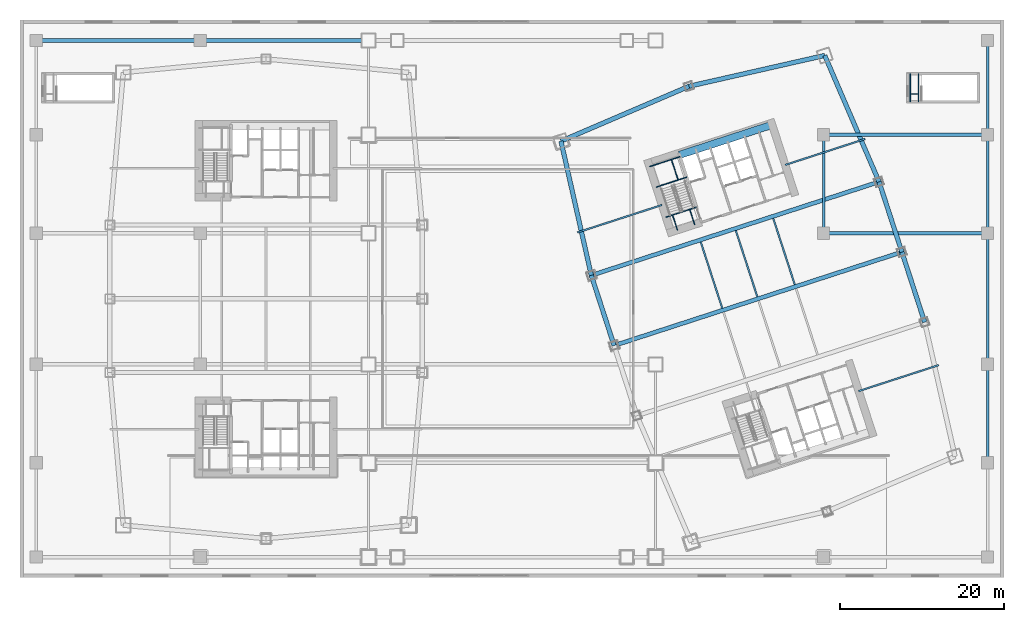
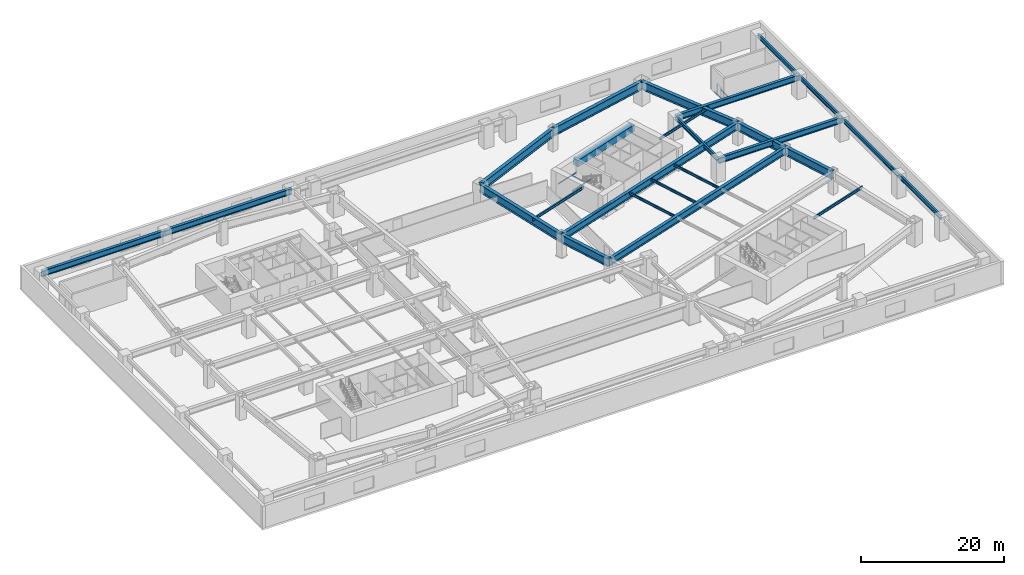
# One storey, part 8 of 25: 34 beams.
"""IFC4 building model written with IfcOpenShell, lengths in metres."""

from ifc_helpers import new_model, si_unit, direction, frame, origin, origin_2d, place, context, subcontext, project, spatial, rectangle, i_section, extrude, material, material_profile, profile_set, type_object, element, save


model = new_model("IFC4")

# Units and contexts
model_context = context("Model", 3, precision=1e-05, world=origin(), true_north=direction((0.0, 1.0)))
body_context = subcontext(model_context, "Body", "Model", "MODEL_VIEW")
ifc_project = project(units=[si_unit("LENGTHUNIT", "METRE"), si_unit("AREAUNIT", "SQUARE_METRE"), si_unit("VOLUMEUNIT", "CUBIC_METRE"), si_unit("PLANEANGLEUNIT", "RADIAN"), si_unit("MASSUNIT", "GRAM", prefix="KILO")], contexts=[model_context])

# Site, building, storey
site_placement = place(None, origin())
site = spatial("IfcSite", under=ifc_project, at=site_placement, CompositionType="ELEMENT")
building_placement = place(site_placement, origin())
building = spatial("IfcBuilding", under=site, at=building_placement, Name="Qiaolan Cultural Towers", CompositionType="ELEMENT")
storey_placement = place(building_placement, frame((0.0, 0.0, 22.0)))
storey = spatial("IfcBuildingStorey", under=building, at=storey_placement, Name="L04", CompositionType="ELEMENT", Elevation=22.0)

# Beams
ifc_material_1 = material(Name="Steel Q390GJB", Category="steel")
ifc_material_profile_1 = material_profile(ifc_material_1, i_section(OverallWidth=0.449951171875, OverallDepth=1.0, WebThickness=0.02392578125, FlangeThickness=0.0400390625, at=origin_2d()), Name="BH1000x450x24x40")
ifc_profile_set_1 = profile_set([ifc_material_profile_1], Name="Steel Q390GJB")
beam_type_1 = type_object("IfcBeamType", Name="BM-BH1000x450x24x40", PredefinedType="BEAM", material=ifc_profile_set_1)
for number, where, z_axis, x_axis, name in (
    (1, (98.0, 42.0, 3.25), (1.0, 0.0, 0.0), (0.0, 1.0, 0.0), "L04 Podium Primary Girder Y=42.0"),
    (2, (98.0, 54.0, 3.25), (1.0, 0.0, 0.0), (0.0, 1.0, 0.0), "L04 Podium Primary Girder Y=54.0"),
    (3, (2.0, 65.5, 3.25), (1.0, 0.0, 0.0), (0.0, 1.0, 0.0), "L04 Podium Primary Girder Y=65.5"),
):
    element("IfcBeam", number, at=place(storey_placement, frame(where, z_axis=z_axis, x_axis=x_axis)), inside=storey, type_object=beam_type_1, Name=name, PredefinedType="BEAM", context=body_context, shape_type="SweptSolid", body=[
        extrude(i_section(OverallWidth=0.449951171875, OverallDepth=1.0, WebThickness=0.02392578125, FlangeThickness=0.0400390625, at=origin_2d()), origin(), (0.0, 0.0, 1.0), 20.0),
    ])
beam_1_placement = place(storey_placement, frame((22.0, 65.5, 3.25), z_axis=(1.0, 0.0, 0.0), x_axis=(0.0, 1.0, 0.0)))
element("IfcBeam", 4, at=beam_1_placement, inside=storey, type_object=beam_type_1, Name="L04 Podium Primary Girder Y=65.5", PredefinedType="BEAM", context=body_context, shape_type="SweptSolid", body=[
    extrude(i_section(OverallWidth=0.449951171875, OverallDepth=1.0, WebThickness=0.02392578125, FlangeThickness=0.0400390625, at=origin_2d()), origin(), (0.0, 0.0, 1.0), 20.5),
])
ifc_material_2 = material(Name="Steel Q390GJB", Category="steel")
ifc_material_profile_2 = material_profile(ifc_material_2, i_section(OverallWidth=0.5, OverallDepth=1.199951171875, WebThickness=0.028076171875, FlangeThickness=0.044921875, at=origin_2d()), Name="BH1200x500x28x45")
ifc_profile_set_2 = profile_set([ifc_material_profile_2], Name="Steel Q390GJB")
beam_type_2 = type_object("IfcBeamType", Name="BM-BH1200x500x28x45", PredefinedType="BEAM", material=ifc_profile_set_2)
beam_2_placement = place(storey_placement, frame((72.453125, 28.298583984375, 3.139892578125), z_axis=(0.951055071173, 0.309021441968, 0.0), x_axis=(-0.309021441968, 0.951055071173, 0.0)))
element("IfcBeam", 5, at=beam_2_placement, inside=storey, type_object=beam_type_2, Name="L04 T2 Primary Transverse Girder V2", PredefinedType="BEAM", context=body_context, shape_type="SweptSolid", body=[
    extrude(i_section(OverallWidth=0.5, OverallDepth=1.199951171875, WebThickness=0.028076171875, FlangeThickness=0.044921875, at=origin_2d()), origin(), (0.0, 0.0, 1.0), 36.89990234375),
])
beam_3_placement = place(storey_placement, frame((69.671875, 36.858154296875, 3.139892578125), z_axis=(0.951055702987, 0.309019497469, 0.0), x_axis=(-0.309019497469, 0.951055702987, 0.0)))
element("IfcBeam", 6, at=beam_3_placement, inside=storey, type_object=beam_type_2, Name="L04 T2 Primary Transverse Girder V3", PredefinedType="BEAM", context=body_context, shape_type="SweptSolid", body=[
    extrude(i_section(OverallWidth=0.5, OverallDepth=1.199951171875, WebThickness=0.028076171875, FlangeThickness=0.044921875, at=origin_2d()), origin(), (0.0, 0.0, 1.0), 36.900146484375),
])
ifc_material_3 = material(Name="Steel Q420GJB", Category="steel")
ifc_material_profile_3 = material_profile(ifc_material_3, i_section(OverallWidth=0.550048828125, OverallDepth=1.39990234375, WebThickness=0.031982421875, FlangeThickness=0.050048828125, at=origin_2d()), Name="BH1400x550x32x50")
ifc_profile_set_3 = profile_set([ifc_material_profile_3], Name="Steel Q420GJB")
beam_type_3 = type_object("IfcBeamType", Name="BM-BH1400x550x32x50", PredefinedType="BEAM", material=ifc_profile_set_3)
for number, where, z_axis, x_axis, name in (
    (7, (110.328125, 31.141845703125, 3.0400390625), (-0.309024734286, 0.951054001411, 0.0), (-0.951054001411, -0.309024734286, 0.0), "L04 T2 Perimeter Spandrel Beam 4"),
    (8, (107.546875, 39.701416015625, 3.0400390625), (-0.309000197986, 0.951061973609, 0.0), (-0.951061973609, -0.309000197986, 0.0), "L04 T2 Perimeter Spandrel Beam 5"),
):
    element("IfcBeam", number, at=place(storey_placement, frame(where, z_axis=z_axis, x_axis=x_axis)), inside=storey, type_object=beam_type_3, Name=name, PredefinedType="BEAM", context=body_context, shape_type="SweptSolid", body=[
        extrude(i_section(OverallWidth=0.550048828125, OverallDepth=1.39990234375, WebThickness=0.031982421875, FlangeThickness=0.050048828125, at=origin_2d()), origin(), (0.0, 0.0, 1.0), 9.0),
    ])
beam_4_placement = place(storey_placement, frame((104.765869140625, 48.260986328125, 3.0400390625), z_axis=(-0.394998896054, 0.918681594524, 0.0), x_axis=(-0.918681594524, -0.394998896054, 0.0)))
element("IfcBeam", 9, at=beam_4_placement, inside=storey, type_object=beam_type_3, Name="L04 T2 Perimeter Spandrel Beam 6", PredefinedType="BEAM", context=body_context, shape_type="SweptSolid", body=[
    extrude(i_section(OverallWidth=0.550048828125, OverallDepth=1.39990234375, WebThickness=0.031982421875, FlangeThickness=0.050048828125, at=origin_2d()), origin(), (0.0, 0.0, 1.0), 16.78076171875),
])
for number, where, z_axis, x_axis, name in (
    (10, (98.137451171875, 63.67724609375, 3.0400390625), (-0.975161095889, -0.221496810506, 0.0), (0.221496810506, -0.975161095889, 0.0), "L04 T2 Perimeter Spandrel Beam 7"),
    (11, (81.579345703125, 59.916259765625, 3.0400390625), (-0.919108584923, -0.394004326272, 0.0), (0.394004326272, -0.919108584923, 0.0), "L04 T2 Perimeter Spandrel Beam 8"),
):
    element("IfcBeam", number, at=place(storey_placement, frame(where, z_axis=z_axis, x_axis=x_axis)), inside=storey, type_object=beam_type_3, Name=name, PredefinedType="BEAM", context=body_context, shape_type="SweptSolid", body=[
        extrude(i_section(OverallWidth=0.550048828125, OverallDepth=1.39990234375, WebThickness=0.031982421875, FlangeThickness=0.050048828125, at=origin_2d()), origin(), (0.0, 0.0, 1.0), 16.97998046875),
    ])
beam_5_placement = place(storey_placement, frame((65.972900390625, 53.22607421875, 3.0400390625), z_axis=(0.220430557386, -0.975402670373, 0.0), x_axis=(0.975402670373, 0.220430557386, 0.0)))
element("IfcBeam", 12, at=beam_5_placement, inside=storey, type_object=beam_type_3, Name="L04 T2 Perimeter Spandrel Beam 9", PredefinedType="BEAM", context=body_context, shape_type="SweptSolid", body=[
    extrude(i_section(OverallWidth=0.550048828125, OverallDepth=1.39990234375, WebThickness=0.031982421875, FlangeThickness=0.050048828125, at=origin_2d()), origin(), (0.0, 0.0, 1.0), 16.78076171875),
])
beam_6_placement = place(storey_placement, frame((69.671875, 36.858154296875, 3.0400390625), z_axis=(0.309024734286, -0.951054001411, 0.0), x_axis=(0.951054001411, 0.309024734286, 0.0)))
element("IfcBeam", 13, at=beam_6_placement, inside=storey, type_object=beam_type_3, Name="L04 T2 Perimeter Spandrel Beam 10", PredefinedType="BEAM", context=body_context, shape_type="SweptSolid", body=[
    extrude(i_section(OverallWidth=0.550048828125, OverallDepth=1.39990234375, WebThickness=0.031982421875, FlangeThickness=0.050048828125, at=origin_2d()), origin(), (0.0, 0.0, 1.0), 9.0),
])
ifc_material_4 = material(Name="Steel Q355B", Category="steel")
ifc_material_profile_4 = material_profile(ifc_material_4, i_section(OverallWidth=0.300048828125, OverallDepth=0.699951171875, WebThickness=0.012939453125, FlangeThickness=0.02392578125, at=origin_2d()), Name="HN700x300x13x24")
ifc_profile_set_4 = profile_set([ifc_material_profile_4], Name="Steel Q355B")
beam_type_4 = type_object("IfcBeamType", Name="BM-HN700x300x13x24", PredefinedType="BEAM", material=ifc_profile_set_4)
for number, where, z_axis, x_axis, name in (
    (14, (98.0, 42.0, 3.39990234375), (0.0, 1.0, 0.0), (-1.0, 0.0, 0.0), "L04 Podium Transverse Beam X=98.0"),
    (15, (118.0, 14.0, 3.39990234375), (0.0, 1.0, 0.0), (-1.0, 0.0, 0.0), "L04 Podium Transverse Beam X=118.0"),
):
    element("IfcBeam", number, at=place(storey_placement, frame(where, z_axis=z_axis, x_axis=x_axis)), inside=storey, type_object=beam_type_4, Name=name, PredefinedType="BEAM", context=body_context, shape_type="SweptSolid", body=[
        extrude(i_section(OverallWidth=0.300048828125, OverallDepth=0.699951171875, WebThickness=0.012939453125, FlangeThickness=0.02392578125, at=origin_2d()), origin(), (0.0, 0.0, 1.0), 12.0),
    ])
beam_7_placement = place(storey_placement, frame((118.0, 26.0, 3.39990234375), z_axis=(0.0, 1.0, 0.0), x_axis=(-1.0, 0.0, 0.0)))
element("IfcBeam", 16, at=beam_7_placement, inside=storey, type_object=beam_type_4, Name="L04 Podium Transverse Beam X=118.0", PredefinedType="BEAM", context=body_context, shape_type="SweptSolid", body=[
    extrude(i_section(OverallWidth=0.300048828125, OverallDepth=0.699951171875, WebThickness=0.012939453125, FlangeThickness=0.02392578125, at=origin_2d()), origin(), (0.0, 0.0, 1.0), 16.0),
])
beam_8_placement = place(storey_placement, frame((118.0, 42.0, 3.39990234375), z_axis=(0.0, 1.0, 0.0), x_axis=(-1.0, 0.0, 0.0)))
element("IfcBeam", 17, at=beam_8_placement, inside=storey, type_object=beam_type_4, Name="L04 Podium Transverse Beam X=118.0", PredefinedType="BEAM", context=body_context, shape_type="SweptSolid", body=[
    extrude(i_section(OverallWidth=0.300048828125, OverallDepth=0.699951171875, WebThickness=0.012939453125, FlangeThickness=0.02392578125, at=origin_2d()), origin(), (0.0, 0.0, 1.0), 12.0),
])
beam_9_placement = place(storey_placement, frame((118.0, 54.0, 3.39990234375), z_axis=(0.0, 1.0, 0.0), x_axis=(-1.0, 0.0, 0.0)))
element("IfcBeam", 18, at=beam_9_placement, inside=storey, type_object=beam_type_4, Name="L04 Podium Transverse Beam X=118.0", PredefinedType="BEAM", context=body_context, shape_type="SweptSolid", body=[
    extrude(i_section(OverallWidth=0.300048828125, OverallDepth=0.699951171875, WebThickness=0.012939453125, FlangeThickness=0.02392578125, at=origin_2d()), origin(), (0.0, 0.0, 1.0), 11.5),
])
ifc_material_5 = material(Name="Steel Q355B", Category="steel")
ifc_material_profile_5 = material_profile(ifc_material_5, i_section(OverallWidth=0.199951171875, OverallDepth=0.39990234375, WebThickness=0.008056640625, FlangeThickness=0.012939453125, at=origin_2d()), Name="HN400x200x8x13")
ifc_profile_set_5 = profile_set([ifc_material_profile_5], Name="Steel Q355B")
beam_type_5 = type_object("IfcBeamType", Name="BM-JST-HN400x200x8x13", PredefinedType="JOIST", material=ifc_profile_set_5)
for number, where, z_axis, x_axis, name in (
    (19, (85.64306640625, 32.84716796875, 3.5400390625), (-0.309023723562, 0.951054329824, 0.0), (-0.951054329824, -0.309023723562, 0.0), "L04 T2 Secondary Floor Joist U1-3"),
    (20, (89.9228515625, 34.23779296875, 3.5400390625), (-0.309023723562, 0.951054329824, 0.0), (-0.951054329824, -0.309023723562, 0.0), "L04 T2 Secondary Floor Joist U2-3"),
    (21, (94.48779296875, 35.720947265625, 3.5400390625), (-0.309023723562, 0.951054329824, 0.0), (-0.951054329824, -0.309023723562, 0.0), "L04 T2 Secondary Floor Joist U3-3"),
):
    element("IfcBeam", number, at=place(storey_placement, frame(where, z_axis=z_axis, x_axis=x_axis)), inside=storey, type_object=beam_type_5, Name=name, PredefinedType="JOIST", context=body_context, shape_type="SweptSolid", body=[
        extrude(i_section(OverallWidth=0.199951171875, OverallDepth=0.39990234375, WebThickness=0.008056640625, FlangeThickness=0.012939453125, at=origin_2d()), origin(), (0.0, 0.0, 1.0), 8.5),
    ])
ifc_material_6 = material(Name="Steel Q355B", Category="steel")
ifc_material_profile_6 = material_profile(ifc_material_6, i_section(OverallWidth=0.199951171875, OverallDepth=0.449951171875, WebThickness=0.009033203125, FlangeThickness=0.013916015625, at=origin_2d()), Name="HN450x200x9x14")
ifc_profile_set_6 = profile_set([ifc_material_profile_6], Name="Steel Q355B")
beam_type_6 = type_object("IfcBeamType", Name="BM-LNT-HN450x200x9x14", PredefinedType="LINTEL", material=ifc_profile_set_6)
beam_10_placement = place(storey_placement, frame((78.291259765625, 45.44189453125, 3.514892578125), z_axis=(-0.951052421511, -0.309029596542, 0.0), x_axis=(0.309029596542, -0.951052421511, 0.0)))
element("IfcBeam", 22, at=beam_10_placement, inside=storey, type_object=beam_type_6, Name="L04 T2 Core Flank Tie Lintel WN", PredefinedType="LINTEL", context=body_context, shape_type="SweptSolid", body=[
    extrude(i_section(OverallWidth=0.199951171875, OverallDepth=0.449951171875, WebThickness=0.009033203125, FlangeThickness=0.013916015625, at=origin_2d()), origin(), (0.0, 0.0, 1.0), 10.85009765625),
])
beam_11_placement = place(storey_placement, frame((102.279296875, 22.74365234375, 3.514892578125), z_axis=(0.951056820587, 0.309016057859, 0.0), x_axis=(-0.309016057859, 0.951056820587, 0.0)))
element("IfcBeam", 23, at=beam_11_placement, inside=storey, type_object=beam_type_6, Name="L04 T2 Core Flank Tie Lintel ES", PredefinedType="LINTEL", context=body_context, shape_type="SweptSolid", body=[
    extrude(i_section(OverallWidth=0.199951171875, OverallDepth=0.449951171875, WebThickness=0.009033203125, FlangeThickness=0.013916015625, at=origin_2d()), origin(), (0.0, 0.0, 1.0), 10.250244140625),
])
beam_12_placement = place(storey_placement, frame((93.31787109375, 50.32421875, 3.514892578125), z_axis=(0.951054546097, 0.309023057955, 0.0), x_axis=(-0.309023057955, 0.951054546097, 0.0)))
element("IfcBeam", 24, at=beam_12_placement, inside=storey, type_object=beam_type_6, Name="L04 T2 Core Flank Tie Lintel EN", PredefinedType="LINTEL", context=body_context, shape_type="SweptSolid", body=[
    extrude(i_section(OverallWidth=0.199951171875, OverallDepth=0.449951171875, WebThickness=0.009033203125, FlangeThickness=0.013916015625, at=origin_2d()), origin(), (0.0, 0.0, 1.0), 10.25),
])
ifc_material_7 = material(Name="Concrete C50", Category="concrete")
ifc_material_profile_7 = material_profile(ifc_material_7, rectangle(XDim=0.89990234375, YDim=1.10009765625, at=origin_2d()), Name="RC900x1100")
ifc_profile_set_7 = profile_set([ifc_material_profile_7], Name="Concrete C50")
beam_type_7 = type_object("IfcBeamType", Name="BM-RC900x1100", PredefinedType="BEAM", material=ifc_profile_set_7)
beam_13_placement = place(storey_placement, frame((80.427978515625, 51.551025390625, 3.18994140625), z_axis=(0.951056266386, 0.309017763514, 0.0), x_axis=(-0.309017763514, 0.951056266386, 0.0)))
element("IfcBeam", 25, at=beam_13_placement, inside=storey, type_object=beam_type_7, Name="L04 T2 Core Header Girder N", PredefinedType="BEAM", context=body_context, shape_type="SweptSolid", body=[
    extrude(rectangle(XDim=0.89990234375, YDim=1.10009765625, at=origin_2d()), origin(), (0.0, 0.0, 1.0), 11.880126953125),
])
ifc_material_8 = material(Name="Steel Q355B", Category="steel")
ifc_material_profile_8 = material_profile(ifc_material_8, i_section(OverallWidth=0.10009765625, OverallDepth=0.199951171875, WebThickness=0.005615234375, FlangeThickness=0.008056640625, at=origin_2d()), Name="HN200x100x5.5x8")
ifc_profile_set_8 = profile_set([ifc_material_profile_8], Name="Steel Q355B")
beam_type_8 = type_object("IfcBeamType", Name="BM-STTRIM-200", PredefinedType="BEAM", material=ifc_profile_set_8)
beam_14_placement = place(storey_placement, frame((78.773193359375, 43.958251953125, -0.4599609375), z_axis=(0.951072048947, 0.3089691857, 0.0), x_axis=(-0.3089691857, 0.951072048947, 0.0)))
element("IfcBeam", 26, at=beam_14_placement, inside=storey, type_object=beam_type_8, Name="L04 ST-E2 Floor Landing Header Beam", PredefinedType="BEAM", context=body_context, shape_type="SweptSolid", body=[
    extrude(i_section(OverallWidth=0.10009765625, OverallDepth=0.199951171875, WebThickness=0.005615234375, FlangeThickness=0.008056640625, at=origin_2d()), origin(), (0.0, 0.0, 1.0), 3.920166015625),
])
for number, where, z_axis, x_axis, name in (
    (27, (80.18115234375, 42.375732421875, -0.4599609375), (-0.308969394428, 0.951071981138, 0.0), (-0.951071981138, -0.308969394428, 0.0), "L04 ST-E2 Floor Landing Stringer 1"),
    (28, (82.2734375, 43.0556640625, -0.4599609375), (-0.308969394428, 0.951071981138, 0.0), (-0.951071981138, -0.308969394428, 0.0), "L04 ST-E2 Floor Landing Stringer 2"),
):
    element("IfcBeam", number, at=place(storey_placement, frame(where, z_axis=z_axis, x_axis=x_axis)), inside=storey, type_object=beam_type_8, Name=name, PredefinedType="BEAM", context=body_context, shape_type="SweptSolid", body=[
        extrude(i_section(OverallWidth=0.10009765625, OverallDepth=0.199951171875, WebThickness=0.005615234375, FlangeThickness=0.008056640625, at=origin_2d()), origin(), (0.0, 0.0, 1.0), 1.93994140625),
    ])
beam_15_placement = place(storey_placement, frame((77.583984375, 47.618408203125, 1.699951171875), z_axis=(0.951047798727, 0.309043823005, 0.0), x_axis=(-0.309043823005, 0.951047798727, 0.0)))
element("IfcBeam", 29, at=beam_15_placement, inside=storey, type_object=beam_type_8, Name="L04 ST-E2 Stair Landing Support Beam 1-1", PredefinedType="BEAM", context=body_context, shape_type="SweptSolid", body=[
    extrude(i_section(OverallWidth=0.10009765625, OverallDepth=0.199951171875, WebThickness=0.005615234375, FlangeThickness=0.008056640625, at=origin_2d()), origin(), (0.0, 0.0, 1.0), 3.919921875),
])
beam_16_placement = place(storey_placement, frame((76.770751953125, 50.12109375, 1.699951171875), z_axis=(0.951072048947, 0.3089691857, 0.0), x_axis=(-0.3089691857, 0.951072048947, 0.0)))
element("IfcBeam", 30, at=beam_16_placement, inside=storey, type_object=beam_type_8, Name="L04 ST-E2 Stair Landing Support Beam 1-2", PredefinedType="BEAM", context=body_context, shape_type="SweptSolid", body=[
    extrude(i_section(OverallWidth=0.10009765625, OverallDepth=0.199951171875, WebThickness=0.005615234375, FlangeThickness=0.008056640625, at=origin_2d()), origin(), (0.0, 0.0, 1.0), 3.920166015625),
])
beam_17_placement = place(storey_placement, frame((80.25634765625, 48.48681640625, 1.699951171875), z_axis=(-0.308981166967, 0.95106815658, 0.0), x_axis=(-0.95106815658, -0.308981166967, 0.0)))
element("IfcBeam", 31, at=beam_17_placement, inside=storey, type_object=beam_type_8, Name="L04 ST-E2 Stair Landing Trimmer 1", PredefinedType="BEAM", context=body_context, shape_type="SweptSolid", body=[
    extrude(i_section(OverallWidth=0.10009765625, OverallDepth=0.199951171875, WebThickness=0.005615234375, FlangeThickness=0.008056640625, at=origin_2d()), origin(), (0.0, 0.0, 1.0), 2.631103515625),
])
for number, where, z_axis, x_axis, name in (
    (32, (108.580078125, 58.050048828125, -0.4599609375), (0.0, 1.0, 0.0), (-1.0, 0.0, 0.0), "L04 ST-P2 Floor Landing Beam 1"),
    (33, (109.580078125, 58.050048828125, -0.4599609375), (0.0, 1.0, 0.0), (-1.0, 0.0, 0.0), "L04 ST-P2 Floor Landing Beam 2"),
):
    element("IfcBeam", number, at=place(storey_placement, frame(where, z_axis=z_axis, x_axis=x_axis)), inside=storey, type_object=beam_type_8, Name=name, PredefinedType="BEAM", context=body_context, shape_type="SweptSolid", body=[
        extrude(i_section(OverallWidth=0.10009765625, OverallDepth=0.199951171875, WebThickness=0.005615234375, FlangeThickness=0.008056640625, at=origin_2d()), origin(), (0.0, 0.0, 1.0), 3.39990234375),
    ])
beam_18_placement = place(storey_placement, frame((108.580078125, 58.97509765625, -0.4599609375), z_axis=(1.0, 0.0, 0.0), x_axis=(0.0, 1.0, 0.0)))
element("IfcBeam", 34, at=beam_18_placement, inside=storey, type_object=beam_type_8, Name="L04 ST-P2 Floor Landing Trimmer", PredefinedType="BEAM", context=body_context, shape_type="SweptSolid", body=[
    extrude(i_section(OverallWidth=0.10009765625, OverallDepth=0.199951171875, WebThickness=0.005615234375, FlangeThickness=0.008056640625, at=origin_2d()), origin(), (0.0, 0.0, 1.0), 1.0),
])

save(model, "model.ifc")
